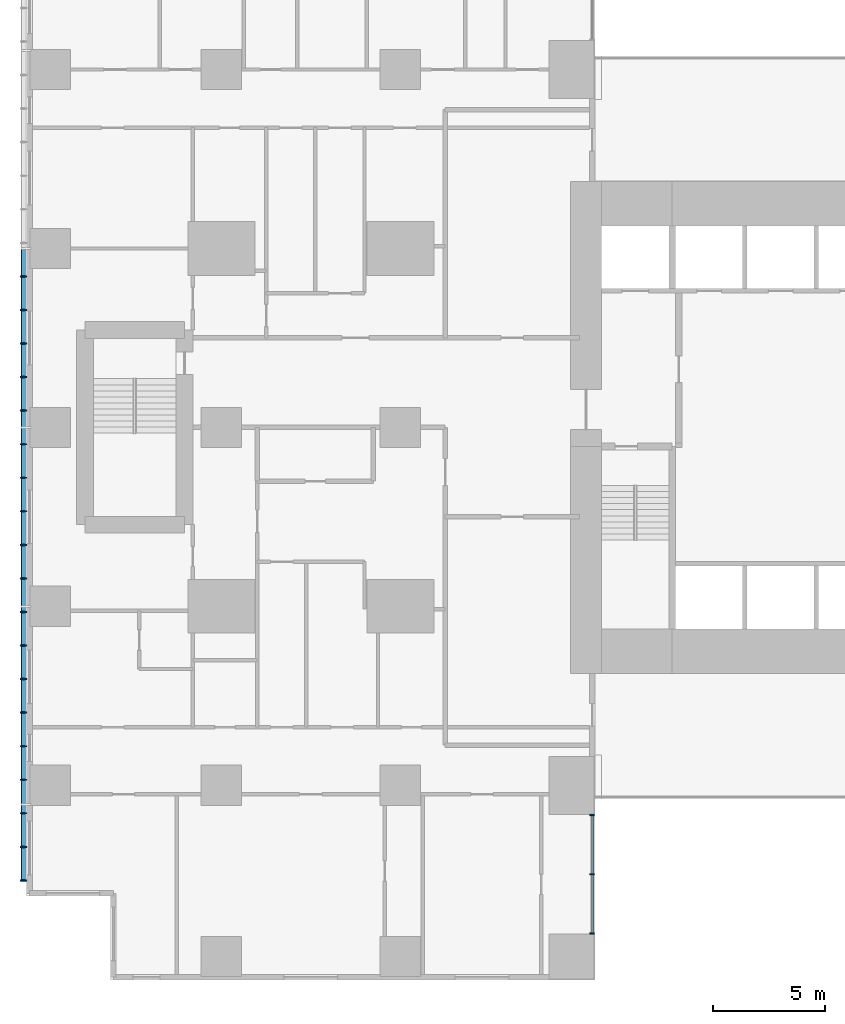
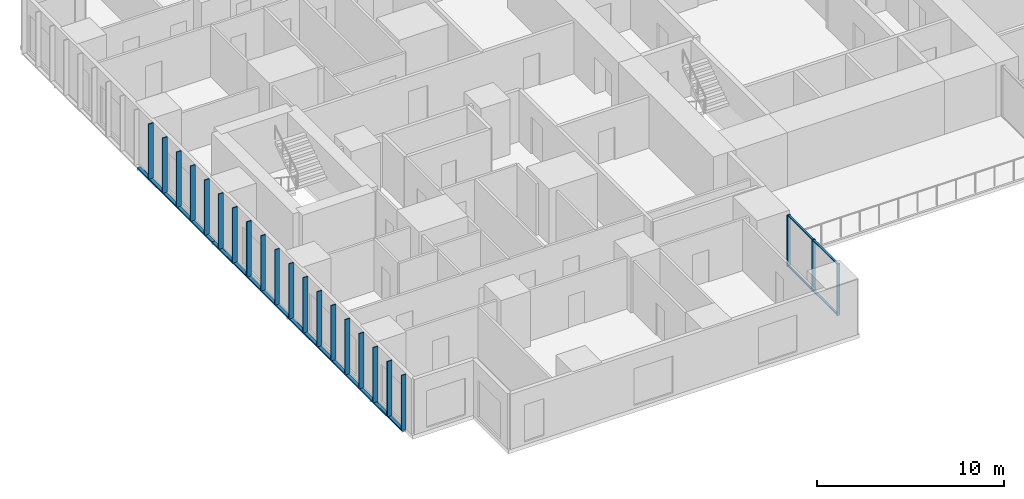
# One storey, part 2 of 20: 29 members, 1 element without a shape of its own.
"""IFC4 building model written with IfcOpenShell, lengths in metres."""

from ifc_helpers import new_model, si_unit, direction, frame, origin, origin_2d, place, context, subcontext, project, spatial, rectangle, hollow_rectangle, extrude, material, layer, layer_set, material_profile, profile_set, type_object, element, aggregate, save


model = new_model("IFC4")

# Units and contexts
model_context = context("Model", 3, precision=1e-05, world=origin(), true_north=direction((0.0, 1.0)))
body_context = subcontext(model_context, "Body", "Model", "MODEL_VIEW")
ifc_project = project(units=[si_unit("LENGTHUNIT", "METRE"), si_unit("AREAUNIT", "SQUARE_METRE"), si_unit("VOLUMEUNIT", "CUBIC_METRE"), si_unit("PLANEANGLEUNIT", "RADIAN"), si_unit("MASSUNIT", "GRAM", prefix="KILO")], contexts=[model_context])

# Site, building, storey
site_placement = place(None, origin())
site = spatial("IfcSite", under=ifc_project, at=site_placement, CompositionType="ELEMENT")
building_placement = place(site_placement, origin())
building = spatial("IfcBuilding", under=site, at=building_placement, Name="Cleftline Residences", CompositionType="ELEMENT")
storey_placement = place(building_placement, frame((0.0, 0.0, 182.199951171875)))
storey = spatial("IfcBuildingStorey", under=building, at=storey_placement, Name="L47", CompositionType="ELEMENT", Elevation=182.199951171875)

# Members
ifc_material_1 = material(Name="Steel S355, hot-dip galvanised", Category="steel")
ifc_material_profile_1 = material_profile(ifc_material_1, hollow_rectangle(XDim=0.10009765625, YDim=0.199951171875, WallThickness=0.008056640625, InnerFilletRadius=0.008056640625, OuterFilletRadius=0.011962890625, at=origin_2d()))
ifc_profile_set_1 = profile_set([ifc_material_profile_1], Name="Steel S355, hot-dip galvanised")
member_type_1 = type_object("IfcMemberType", Name="BAGUETTE CARRIER RHS 200X100X8", PredefinedType="USERDEFINED", material=ifc_profile_set_1)
for number, where, z_axis, x_axis, name in (
    (1, (-0.85009765625, 32.0, -0.050048828125), (0.0, -1.0, 0.0), (0.0, 0.0, 1.0), "Baguette carrier"),
    (2, (-0.85009765625, 24.0, -0.050048828125), (0.0, -1.0, 0.0), (0.0, 0.0, 1.0), "Baguette carrier"),
):
    element("IfcMember", number, at=place(storey_placement, frame(where, z_axis=z_axis, x_axis=x_axis)), inside=storey, type_object=member_type_1, Name=name, ObjectType="BAGUETTE CARRIER", PredefinedType="USERDEFINED", context=body_context, shape_type="SweptSolid", body=[
        extrude(hollow_rectangle(XDim=0.10009765625, YDim=0.199951171875, WallThickness=0.008056640625, InnerFilletRadius=0.008056640625, OuterFilletRadius=0.011962890625, at=origin_2d()), origin(), (0.0, 0.0, 1.0), 8.0),
    ])
member_1_placement = place(storey_placement, frame((-0.85009765625, 16.0, -0.050048828125), z_axis=(0.0, -1.0, 0.0), x_axis=(0.0, 0.0, 1.0)))
element("IfcMember", 3, at=member_1_placement, inside=storey, type_object=member_type_1, Name="Baguette carrier", ObjectType="BAGUETTE CARRIER", PredefinedType="USERDEFINED", context=body_context, shape_type="SweptSolid", body=[
    extrude(hollow_rectangle(XDim=0.10009765625, YDim=0.199951171875, WallThickness=0.008056640625, InnerFilletRadius=0.008056640625, OuterFilletRadius=0.011962890625, at=origin_2d()), origin(), (0.0, 0.0, 1.0), 12.300048828125),
])

# Curtain wall, members
ifc_material_2 = material(Name="Aluminium framed curtain wall", Category="aluminium")
ifc_layer = layer(ifc_material_2, 0.199951171875)
ifc_layer_set = layer_set([ifc_layer], Name="CW1 CLEFT GLAZING")
curtain_wall_type = type_object("IfcCurtainWallType", Name="CW1 CLEFT GLAZING", PredefinedType="NOTDEFINED", material=ifc_layer_set)
curtain_wall_placement = place(storey_placement, origin())
curtain_wall = element("IfcCurtainWall", 4, at=curtain_wall_placement, inside=storey, type_object=curtain_wall_type, Name="Curtain wall CW1", PredefinedType="NOTDEFINED")
ifc_material_3 = material(Name="Aluminium mullion", Category="aluminium")
ifc_material_profile_2 = material_profile(ifc_material_3, rectangle(XDim=0.199951171875, YDim=0.06005859375, at=origin_2d()))
ifc_profile_set_2 = profile_set([ifc_material_profile_2], Name="Aluminium mullion")
member_type_2 = type_object("IfcMemberType", Name="CW1 MULLION", PredefinedType="MULLION", material=ifc_profile_set_2)
member_2_placement = place(storey_placement, frame((24.574951171875, 1.3798828125, 0.0), z_axis=(0.0, 0.0, 1.0), x_axis=(-1.0, 0.0, 0.0)))
member_2 = element("IfcMember", 5, at=member_2_placement, type_object=member_type_2, Name="CW1 mullion 1", PredefinedType="MULLION", context=body_context, shape_type="SweptSolid", body=[
    extrude(rectangle(XDim=0.199951171875, YDim=0.06005859375, at=origin_2d()), origin(), (0.0, 0.0, 1.0), 3.35009765625),
])
member_3_placement = place(storey_placement, frame((24.574951171875, 4.02490234375, 0.0), z_axis=(0.0, 0.0, 1.0), x_axis=(-1.0, 0.0, 0.0)))
member_3 = element("IfcMember", 6, at=member_3_placement, type_object=member_type_2, Name="CW1 mullion 2", PredefinedType="MULLION", context=body_context, shape_type="SweptSolid", body=[
    extrude(rectangle(XDim=0.199951171875, YDim=0.06005859375, at=origin_2d()), origin(), (0.0, 0.0, 1.0), 3.35009765625),
])
member_4_placement = place(storey_placement, frame((24.574951171875, 6.669921875, 0.0), z_axis=(0.0, 0.0, 1.0), x_axis=(-1.0, 0.0, 0.0)))
member_4 = element("IfcMember", 7, at=member_4_placement, type_object=member_type_2, Name="CW1 mullion 3", PredefinedType="MULLION", context=body_context, shape_type="SweptSolid", body=[
    extrude(rectangle(XDim=0.199951171875, YDim=0.06005859375, at=origin_2d()), origin(), (0.0, 0.0, 1.0), 3.35009765625),
])
ifc_material_4 = material(Name="Aluminium transom", Category="aluminium")
ifc_material_profile_3 = material_profile(ifc_material_4, rectangle(XDim=0.1201171875, YDim=0.06005859375, at=origin_2d()))
ifc_profile_set_3 = profile_set([ifc_material_profile_3], Name="Aluminium transom")
member_type_3 = type_object("IfcMemberType", Name="CW1 TRANSOM", PredefinedType="USERDEFINED", material=ifc_profile_set_3)
member_5_placement = place(storey_placement, frame((24.574951171875, 1.409912109375, 0.030029296875), z_axis=(0.0, 1.0, 0.0), x_axis=(-1.0, 0.0, 0.0)))
member_5 = element("IfcMember", 8, at=member_5_placement, type_object=member_type_3, Name="CW1 transom 1.1", ObjectType="TRANSOM", PredefinedType="USERDEFINED", context=body_context, shape_type="SweptSolid", body=[
    extrude(rectangle(XDim=0.1201171875, YDim=0.06005859375, at=origin_2d()), origin(), (0.0, 0.0, 1.0), 2.585205078125),
])
member_6_placement = place(storey_placement, frame((24.574951171875, 1.409912109375, 3.320068359375), z_axis=(0.0, 1.0, 0.0), x_axis=(-1.0, 0.0, 0.0)))
member_6 = element("IfcMember", 9, at=member_6_placement, type_object=member_type_3, Name="CW1 transom 1.2", ObjectType="TRANSOM", PredefinedType="USERDEFINED", context=body_context, shape_type="SweptSolid", body=[
    extrude(rectangle(XDim=0.1201171875, YDim=0.06005859375, at=origin_2d()), origin(), (0.0, 0.0, 1.0), 2.585205078125),
])
member_7_placement = place(storey_placement, frame((24.574951171875, 4.054931640625, 0.030029296875), z_axis=(0.0, 1.0, 0.0), x_axis=(-1.0, 0.0, 0.0)))
member_7 = element("IfcMember", 10, at=member_7_placement, type_object=member_type_3, Name="CW1 transom 2.1", ObjectType="TRANSOM", PredefinedType="USERDEFINED", context=body_context, shape_type="SweptSolid", body=[
    extrude(rectangle(XDim=0.1201171875, YDim=0.06005859375, at=origin_2d()), origin(), (0.0, 0.0, 1.0), 2.5849609375),
])
member_8_placement = place(storey_placement, frame((24.574951171875, 4.054931640625, 3.320068359375), z_axis=(0.0, 1.0, 0.0), x_axis=(-1.0, 0.0, 0.0)))
member_8 = element("IfcMember", 11, at=member_8_placement, type_object=member_type_3, Name="CW1 transom 2.2", ObjectType="TRANSOM", PredefinedType="USERDEFINED", context=body_context, shape_type="SweptSolid", body=[
    extrude(rectangle(XDim=0.1201171875, YDim=0.06005859375, at=origin_2d()), origin(), (0.0, 0.0, 1.0), 2.5849609375),
])
aggregate(curtain_wall, [member_2, member_3, member_4, member_5, member_6, member_7, member_8])

# Members
ifc_material_5 = material(Name="Extruded terracotta", Category="masonry")
ifc_material_profile_4 = material_profile(ifc_material_5, rectangle(XDim=0.06005859375, YDim=0.300048828125, at=origin_2d()))
ifc_profile_set_4 = profile_set([ifc_material_profile_4], Name="Extruded terracotta")
member_type_4 = type_object("IfcMemberType", Name="TERRACOTTA BAGUETTE 60X300", PredefinedType="USERDEFINED", material=ifc_profile_set_4)
for number, where, z_axis, x_axis, name in (
    (12, (-0.85009765625, 30.75, 0.0), (0.0, 0.0, 1.0), (0.0, 1.0, 0.0), "Terracotta baguette"),
    (13, (-0.85009765625, 29.25, 0.0), (0.0, 0.0, 1.0), (0.0, 1.0, 0.0), "Terracotta baguette"),
    (14, (-0.85009765625, 27.75, 0.0), (0.0, 0.0, 1.0), (0.0, 1.0, 0.0), "Terracotta baguette"),
    (15, (-0.85009765625, 26.25, 0.0), (0.0, 0.0, 1.0), (0.0, 1.0, 0.0), "Terracotta baguette"),
    (16, (-0.85009765625, 24.75, 0.0), (0.0, 0.0, 1.0), (0.0, 1.0, 0.0), "Terracotta baguette"),
    (17, (-0.85009765625, 23.25, 0.0), (0.0, 0.0, 1.0), (0.0, 1.0, 0.0), "Terracotta baguette"),
    (18, (-0.85009765625, 21.75, 0.0), (0.0, 0.0, 1.0), (0.0, 1.0, 0.0), "Terracotta baguette"),
    (19, (-0.85009765625, 20.25, 0.0), (0.0, 0.0, 1.0), (0.0, 1.0, 0.0), "Terracotta baguette"),
    (20, (-0.85009765625, 18.75, 0.0), (0.0, 0.0, 1.0), (0.0, 1.0, 0.0), "Terracotta baguette"),
    (21, (-0.85009765625, 17.25, 0.0), (0.0, 0.0, 1.0), (0.0, 1.0, 0.0), "Terracotta baguette"),
    (22, (-0.85009765625, 15.75, 0.0), (0.0, 0.0, 1.0), (0.0, 1.0, 0.0), "Terracotta baguette"),
    (23, (-0.85009765625, 14.25, 0.0), (0.0, 0.0, 1.0), (0.0, 1.0, 0.0), "Terracotta baguette"),
    (24, (-0.85009765625, 12.75, 0.0), (0.0, 0.0, 1.0), (0.0, 1.0, 0.0), "Terracotta baguette"),
    (25, (-0.85009765625, 11.25, 0.0), (0.0, 0.0, 1.0), (0.0, 1.0, 0.0), "Terracotta baguette"),
    (26, (-0.85009765625, 9.75, 0.0), (0.0, 0.0, 1.0), (0.0, 1.0, 0.0), "Terracotta baguette"),
    (27, (-0.85009765625, 8.25, 0.0), (0.0, 0.0, 1.0), (0.0, 1.0, 0.0), "Terracotta baguette"),
    (28, (-0.85009765625, 6.75, 0.0), (0.0, 0.0, 1.0), (0.0, 1.0, 0.0), "Terracotta baguette"),
    (29, (-0.85009765625, 5.25, 0.0), (0.0, 0.0, 1.0), (0.0, 1.0, 0.0), "Terracotta baguette"),
    (30, (-0.85009765625, 3.75, 0.0), (0.0, 0.0, 1.0), (0.0, 1.0, 0.0), "Terracotta baguette"),
):
    element("IfcMember", number, at=place(storey_placement, frame(where, z_axis=z_axis, x_axis=x_axis)), inside=storey, type_object=member_type_4, Name=name, ObjectType="BAGUETTE", PredefinedType="USERDEFINED", context=body_context, shape_type="SweptSolid", body=[
        extrude(rectangle(XDim=0.06005859375, YDim=0.300048828125, at=origin_2d()), origin(), (0.0, 0.0, 1.0), 3.60009765625),
    ])

save(model, "model.ifc")
